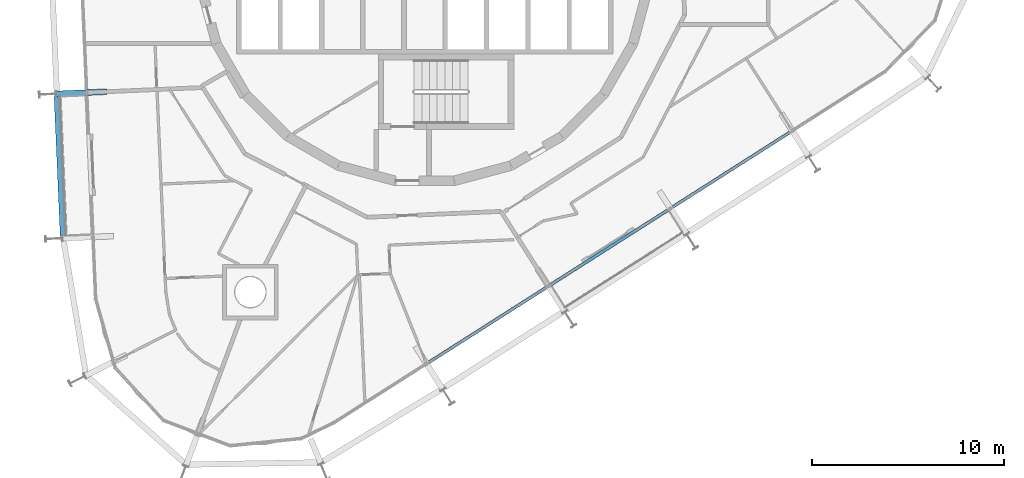
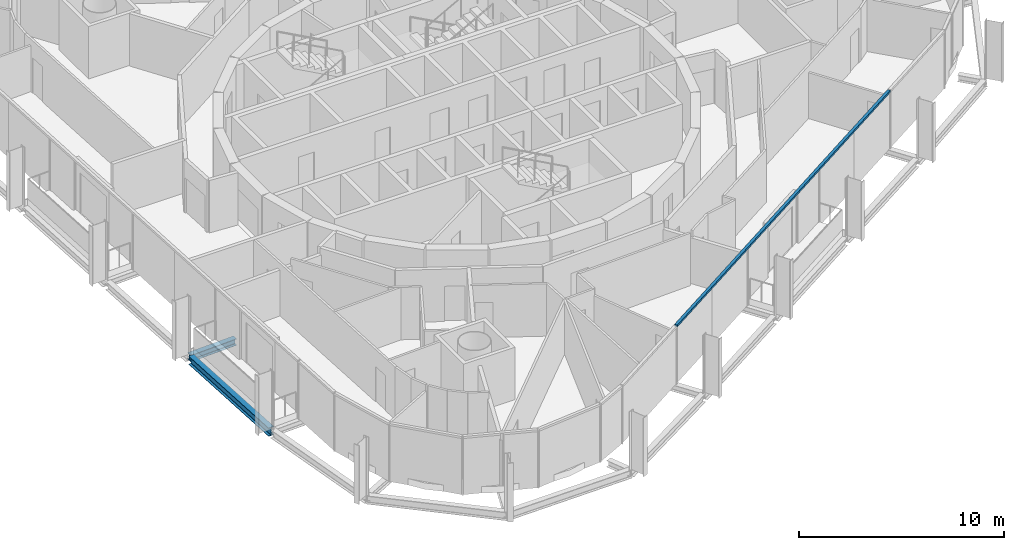
# One storey, part 3 of 17: 2 beams, 1 member, 1 element without a shape of its own.
"""IFC4 building model written with IfcOpenShell, lengths in metres."""

from ifc_helpers import new_model, si_unit, direction, frame, origin, origin_2d, place, context, subcontext, project, spatial, rectangle, i_section, extrude, material, layer, layer_set, material_profile, profile_set, type_object, element, aggregate, save


model = new_model("IFC4")

# Units and contexts
model_context = context("Model", 3, precision=1e-05, world=origin(), true_north=direction((0.0, 1.0)))
body_context = subcontext(model_context, "Body", "Model", "MODEL_VIEW")
ifc_project = project(units=[si_unit("LENGTHUNIT", "METRE"), si_unit("AREAUNIT", "SQUARE_METRE"), si_unit("VOLUMEUNIT", "CUBIC_METRE"), si_unit("PLANEANGLEUNIT", "RADIAN"), si_unit("MASSUNIT", "GRAM", prefix="KILO")], contexts=[model_context])

# Site, building, storey
site_placement = place(None, origin())
site = spatial("IfcSite", under=ifc_project, at=site_placement, CompositionType="ELEMENT")
building_placement = place(site_placement, origin())
building = spatial("IfcBuilding", under=site, at=building_placement, Name="Spindle Arch Residences", CompositionType="ELEMENT")
storey_placement = place(building_placement, frame((0.0, 0.0, 237.199951171875)))
storey = spatial("IfcBuildingStorey", under=building, at=storey_placement, Name="L60", CompositionType="ELEMENT", Elevation=237.199951171875)

# Curtain wall, member
ifc_material_1 = material(Name="Aluminium bronze unitised frame with tinted glass", Category="aluminium")
ifc_layer = layer(ifc_material_1, 0.159912109375)
ifc_layer_set = layer_set([ifc_layer], Name="CW-C typical residential unitised wall")
curtain_wall_type = type_object("IfcCurtainWallType", Name="CW-C typical residential unitised wall", PredefinedType="NOTDEFINED", material=ifc_layer_set)
curtain_wall_placement = place(storey_placement, origin())
curtain_wall = element("IfcCurtainWall", 1, at=curtain_wall_placement, inside=storey, type_object=curtain_wall_type, Name="CW-C L60 run 6", PredefinedType="NOTDEFINED")
ifc_material_2 = material(Name="Aluminium bronze anodised transom", Category="aluminium")
ifc_material_profile_1 = material_profile(ifc_material_2, rectangle(XDim=0.159912109375, YDim=0.1201171875, at=origin_2d()), Name="TR 120x160")
ifc_profile_set_1 = profile_set([ifc_material_profile_1], Name="Aluminium bronze anodised transom")
member_type = type_object("IfcMemberType", Name="Bronze transom 120x160", PredefinedType="USERDEFINED", material=ifc_profile_set_1)
member_placement = place(storey_placement, frame((0.12451171875, -21.16162109375, 3.06005859375), z_axis=(0.84339053968, 0.537301030688, 0.0), x_axis=(-0.537301030688, 0.84339053968, 0.0)))
member = element("IfcMember", 2, at=member_placement, type_object=member_type, Name="CW-C transom 00", ObjectType="TRANSOM", PredefinedType="USERDEFINED", context=body_context, shape_type="SweptSolid", body=[
    extrude(rectangle(XDim=0.159912109375, YDim=0.1201171875, at=origin_2d()), origin(), (0.0, 0.0, 1.0), 22.530029296875),
])
aggregate(curtain_wall, [member])

# Beams
ifc_material_3 = material(Name="Steel S460ML, intumescent coating R 120", Category="steel")
ifc_material_profile_2 = material_profile(ifc_material_3, i_section(OverallWidth=0.300048828125, OverallDepth=0.5, WebThickness=0.014404296875, FlangeThickness=0.028076171875, FilletRadius=0.027099609375, at=origin_2d()), Name="HEB 500")
ifc_profile_set_2 = profile_set([ifc_material_profile_2], Name="Steel S460ML, intumescent coating R 120")
beam_type_1 = type_object("IfcBeamType", Name="Exoskeleton edge beam HEB 500", PredefinedType="BEAM", material=ifc_profile_set_2)
beam_1_placement = place(storey_placement, frame((-19.156494140625, -7.24755859375, -0.6298828125), z_axis=(0.043622301665, -0.999048094337, 0.0), x_axis=(0.999048094337, 0.043622301665, 0.0)))
element("IfcBeam", 3, at=beam_1_placement, inside=storey, type_object=beam_type_1, Name="Exoskeleton edge beam 16", PredefinedType="BEAM", context=body_context, shape_type="SweptSolid", body=[
    extrude(i_section(OverallWidth=0.300048828125, OverallDepth=0.5, WebThickness=0.014404296875, FlangeThickness=0.028076171875, FilletRadius=0.027099609375, at=origin_2d()), origin(), (0.0, 0.0, 1.0), 7.27001953125),
])
ifc_material_4 = material(Name="Steel S460ML, intumescent coating R 120", Category="steel")
ifc_material_profile_3 = material_profile(ifc_material_4, i_section(OverallWidth=0.300048828125, OverallDepth=0.389892578125, WebThickness=0.010986328125, FlangeThickness=0.01904296875, FilletRadius=0.027099609375, at=origin_2d()), Name="HEA 400")
ifc_profile_set_3 = profile_set([ifc_material_profile_3], Name="Steel S460ML, intumescent coating R 120")
beam_type_2 = type_object("IfcBeamType", Name="Floor outrigger HEA 400", PredefinedType="BEAM", material=ifc_profile_set_3)
beam_2_placement = place(storey_placement, frame((-19.192138671875, -7.118896484375, -0.574951171875), z_axis=(0.999050064545, 0.04357715608, 0.0), x_axis=(-0.04357715608, 0.999050064545, 0.0)))
element("IfcBeam", 4, at=beam_2_placement, inside=storey, type_object=beam_type_2, Name="Floor outrigger 16", PredefinedType="BEAM", context=body_context, shape_type="SweptSolid", body=[
    extrude(i_section(OverallWidth=0.300048828125, OverallDepth=0.389892578125, WebThickness=0.010986328125, FlangeThickness=0.01904296875, FilletRadius=0.027099609375, at=origin_2d()), origin(), (0.0, 0.0, 1.0), 2.64990234375),
])

save(model, "model.ifc")
